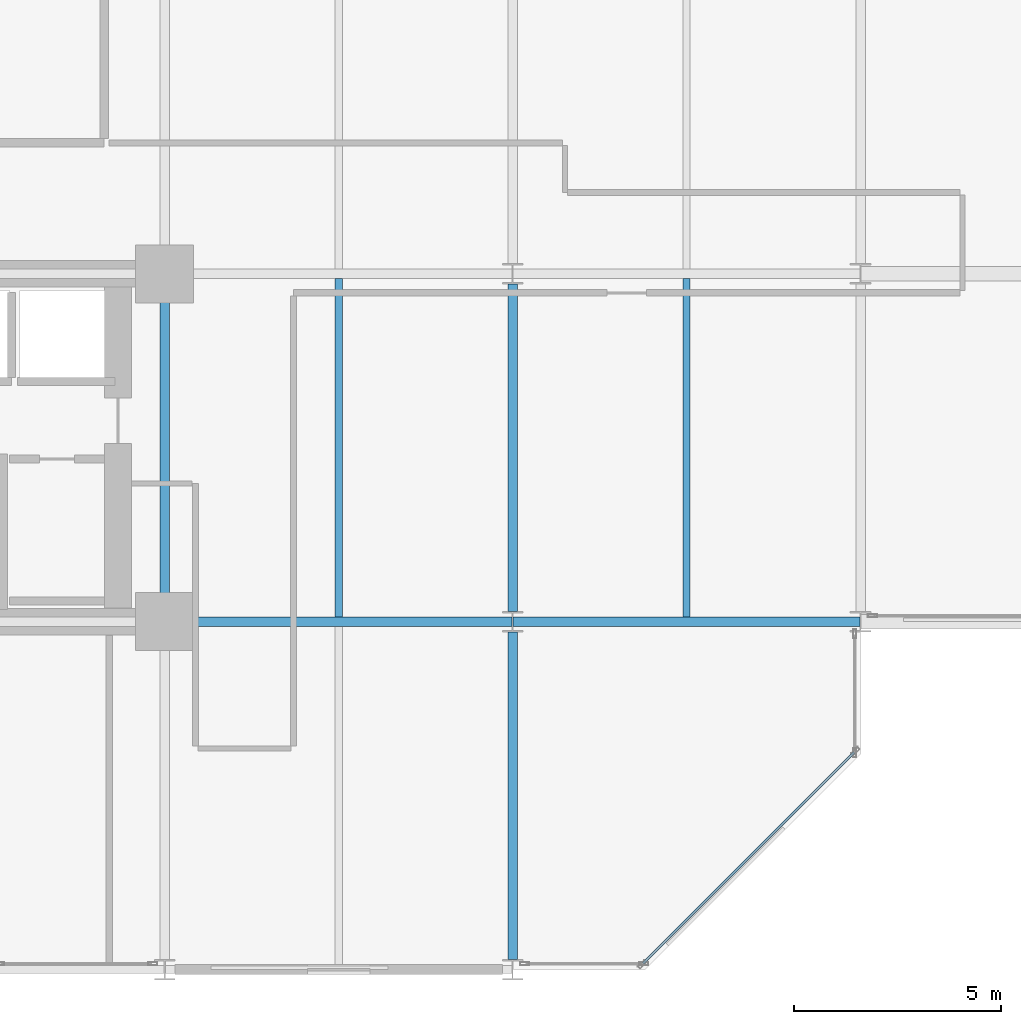
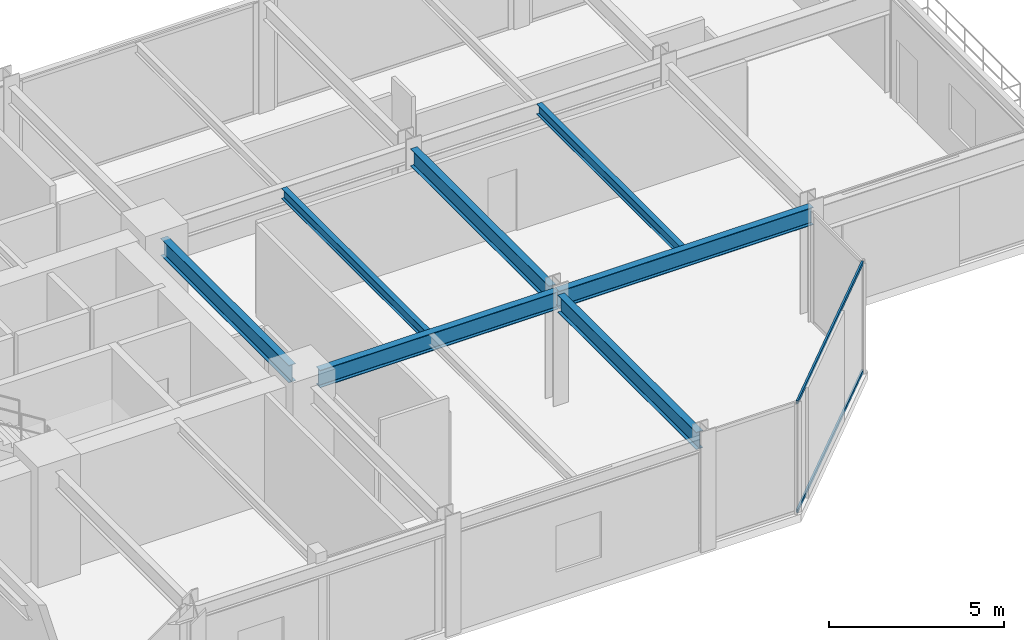
# One storey, part 12 of 26: 7 beams, 2 members, 1 element without a shape of its own.
"""IFC4 building model written with IfcOpenShell, lengths in metres."""

from ifc_helpers import new_model, si_unit, direction, frame, origin, origin_2d, place, context, subcontext, project, spatial, hollow_rectangle, i_section, extrude, material, layer, layer_set, material_profile, profile_set, type_object, element, aggregate, save


model = new_model("IFC4")

# Units and contexts
model_context = context("Model", 3, precision=1e-05, world=origin(), true_north=direction((0.0, 1.0)))
body_context = subcontext(model_context, "Body", "Model", "MODEL_VIEW")
ifc_project = project(units=[si_unit("LENGTHUNIT", "METRE"), si_unit("AREAUNIT", "SQUARE_METRE"), si_unit("VOLUMEUNIT", "CUBIC_METRE"), si_unit("PLANEANGLEUNIT", "RADIAN"), si_unit("MASSUNIT", "GRAM", prefix="KILO")], contexts=[model_context])

# Site, building, storey
site_placement = place(None, origin())
site = spatial("IfcSite", under=ifc_project, at=site_placement, CompositionType="ELEMENT")
building_placement = place(site_placement, origin())
building = spatial("IfcBuilding", under=site, at=building_placement, Name="Nerrivon Quay Data Exchange", CompositionType="ELEMENT")
storey_placement = place(building_placement, frame((0.0, 0.0, 75.199951171875)))
storey = spatial("IfcBuildingStorey", under=building, at=storey_placement, Name="L17", CompositionType="ELEMENT", Elevation=75.199951171875)

# Beams
ifc_material_1 = material(Name="Steel Grade 350", Category="steel")
ifc_material_profile_1 = material_profile(ifc_material_1, i_section(OverallWidth=0.22900390625, OverallDepth=0.612060546875, WebThickness=0.011962890625, FlangeThickness=0.01953125, FilletRadius=0.013916015625, at=origin_2d()), Name="610UB125")
ifc_profile_set_1 = profile_set([ifc_material_profile_1], Name="Steel Grade 350")
beam_type_1 = type_object("IfcBeamType", Name="BM-G1-610UB125", PredefinedType="BEAM", material=ifc_profile_set_1)
beam_1_placement = place(storey_placement, frame((34.139892578125, 8.39990234375, 3.5439453125), z_axis=(1.0, 0.0, 0.0), x_axis=(0.0, 1.0, 0.0)))
element("IfcBeam", 1, at=beam_1_placement, inside=storey, type_object=beam_type_1, Name="L17 EW Girder Y=8.4 (33.6..42.0)", PredefinedType="BEAM", context=body_context, shape_type="SweptSolid", body=[
    extrude(i_section(OverallWidth=0.22900390625, OverallDepth=0.612060546875, WebThickness=0.011962890625, FlangeThickness=0.01953125, FilletRadius=0.013916015625, at=origin_2d()), origin(), (0.0, 0.0, 1.0), 7.84619140625),
])
beam_2_placement = place(storey_placement, frame((42.013916015625, 8.39990234375, 3.5439453125), z_axis=(1.0, 0.0, 0.0), x_axis=(0.0, 1.0, 0.0)))
element("IfcBeam", 2, at=beam_2_placement, inside=storey, type_object=beam_type_1, Name="L17 EW Girder Y=8.4 (42.0..50.4)", PredefinedType="BEAM", context=body_context, shape_type="SweptSolid", body=[
    extrude(i_section(OverallWidth=0.22900390625, OverallDepth=0.612060546875, WebThickness=0.011962890625, FlangeThickness=0.01953125, FilletRadius=0.013916015625, at=origin_2d()), origin(), (0.0, 0.0, 1.0), 8.3720703125),
])
ifc_material_profile_2 = material_profile(ifc_material_1, i_section(OverallWidth=0.22802734375, OverallDepth=0.60205078125, WebThickness=0.010498046875, FlangeThickness=0.014892578125, FilletRadius=0.013916015625, at=origin_2d()), Name="610UB101")
ifc_profile_set_2 = profile_set([ifc_material_profile_2], Name="Steel Grade 350")
beam_type_2 = type_object("IfcBeamType", Name="BM-G2-610UB101", PredefinedType="BEAM", material=ifc_profile_set_2)
beam_3_placement = place(storey_placement, frame((33.60009765625, 8.93994140625, 3.549072265625), z_axis=(0.0, 1.0, 0.0), x_axis=(-1.0, 0.0, 0.0)))
element("IfcBeam", 3, at=beam_3_placement, inside=storey, type_object=beam_type_2, Name="L17 NS Girder X=33.6 (8.4..16.8)", PredefinedType="BEAM", context=body_context, shape_type="SweptSolid", body=[
    extrude(i_section(OverallWidth=0.22802734375, OverallDepth=0.60205078125, WebThickness=0.010498046875, FlangeThickness=0.014892578125, FilletRadius=0.013916015625, at=origin_2d()), origin(), (0.0, 0.0, 1.0), 7.320068359375),
])
beam_4_placement = place(storey_placement, frame((42.0, 0.25, 3.549072265625), z_axis=(0.0, 1.0, 0.0), x_axis=(-1.0, 0.0, 0.0)))
element("IfcBeam", 4, at=beam_4_placement, inside=storey, type_object=beam_type_2, Name="L17 NS Girder X=42.0 (0.0..8.4)", PredefinedType="BEAM", context=body_context, shape_type="SweptSolid", body=[
    extrude(i_section(OverallWidth=0.22802734375, OverallDepth=0.60205078125, WebThickness=0.010498046875, FlangeThickness=0.014892578125, FilletRadius=0.013916015625, at=origin_2d()), origin(), (0.0, 0.0, 1.0), 7.89990234375),
])
beam_5_placement = place(storey_placement, frame((42.0, 8.64990234375, 3.549072265625), z_axis=(0.0, 1.0, 0.0), x_axis=(-1.0, 0.0, 0.0)))
element("IfcBeam", 5, at=beam_5_placement, inside=storey, type_object=beam_type_2, Name="L17 NS Girder X=42.0 (8.4..16.8)", PredefinedType="BEAM", context=body_context, shape_type="SweptSolid", body=[
    extrude(i_section(OverallWidth=0.22802734375, OverallDepth=0.60205078125, WebThickness=0.010498046875, FlangeThickness=0.014892578125, FilletRadius=0.013916015625, at=origin_2d()), origin(), (0.0, 0.0, 1.0), 7.900146484375),
])
ifc_material_profile_3 = material_profile(ifc_material_1, i_section(OverallWidth=0.172119140625, OverallDepth=0.35888671875, WebThickness=0.008056640625, FlangeThickness=0.012939453125, FilletRadius=0.011474609375, at=origin_2d()), Name="360UB56.7")
ifc_profile_set_3 = profile_set([ifc_material_profile_3], Name="Steel Grade 350")
beam_type_3 = type_object("IfcBeamType", Name="BM-J3-360UB57", PredefinedType="JOIST", material=ifc_profile_set_3)
for number, where, z_axis, x_axis, name in (
    (6, (37.800048828125, 8.514404296875, 3.670654296875), (0.0, 1.0, 0.0), (-1.0, 0.0, 0.0), "L17 Secondary Joist X=37.8 (8.4..16.8)"),
    (7, (46.199951171875, 8.514404296875, 3.670654296875), (0.0, 1.0, 0.0), (-1.0, 0.0, 0.0), "L17 Secondary Joist X=46.2 (8.4..16.8)"),
):
    element("IfcBeam", number, at=place(storey_placement, frame(where, z_axis=z_axis, x_axis=x_axis)), inside=storey, type_object=beam_type_3, Name=name, PredefinedType="JOIST", context=body_context, shape_type="SweptSolid", body=[
        extrude(i_section(OverallWidth=0.172119140625, OverallDepth=0.35888671875, WebThickness=0.008056640625, FlangeThickness=0.012939453125, FilletRadius=0.011474609375, at=origin_2d()), origin(), (0.0, 0.0, 1.0), 8.171142578125),
    ])

# Curtain wall, members
ifc_material_2 = material(Name="Anodised aluminium 6063-T6", Category="aluminium")
ifc_layer = layer(ifc_material_2, 0.219970703125)
ifc_layer_set = layer_set([ifc_layer], Name="Anodised aluminium 6063-T6")
curtain_wall_type = type_object("IfcCurtainWallType", Name="CW-SYS-01", PredefinedType="NOTDEFINED", material=ifc_layer_set)
curtain_wall_placement = place(storey_placement, origin())
curtain_wall = element("IfcCurtainWall", 8, at=curtain_wall_placement, inside=storey, type_object=curtain_wall_type, Name="L17 Unitised Curtain Wall 5", PredefinedType="NOTDEFINED")
ifc_material_profile_4 = material_profile(ifc_material_2, hollow_rectangle(XDim=0.06005859375, YDim=0.1201171875, WallThickness=0.003173828125, at=origin_2d()), Name="ALU-TRAN-120x60")
ifc_profile_set_4 = profile_set([ifc_material_profile_4], Name="Anodised aluminium 6063-T6")
member_type = type_object("IfcMemberType", Name="CWT-120x60", PredefinedType="USERDEFINED", material=ifc_profile_set_4)
member_1_placement = place(storey_placement, frame((50.248046875, 5.245849609375, 0.032470703125), z_axis=(-0.707123726196, -0.707089835771, 0.0), x_axis=(0.707089835771, -0.707123726196, 0.0)))
member_1 = element("IfcMember", 9, at=member_1_placement, type_object=member_type, Name="CW01 transom 1.1", ObjectType="TRANSOM", PredefinedType="USERDEFINED", context=body_context, shape_type="SweptSolid", body=[
    extrude(hollow_rectangle(XDim=0.06005859375, YDim=0.1201171875, WallThickness=0.003173828125, at=origin_2d()), origin(), (0.0, 0.0, 1.0), 7.203857421875),
])
member_2_placement = place(storey_placement, frame((50.248046875, 5.245849609375, 3.817626953125), z_axis=(-0.707123726196, -0.707089835771, 0.0), x_axis=(0.707089835771, -0.707123726196, 0.0)))
member_2 = element("IfcMember", 10, at=member_2_placement, type_object=member_type, Name="CW01 transom 1.2", ObjectType="TRANSOM", PredefinedType="USERDEFINED", context=body_context, shape_type="SweptSolid", body=[
    extrude(hollow_rectangle(XDim=0.06005859375, YDim=0.1201171875, WallThickness=0.003173828125, at=origin_2d()), origin(), (0.0, 0.0, 1.0), 7.203857421875),
])
aggregate(curtain_wall, [member_1, member_2])

save(model, "model.ifc")
